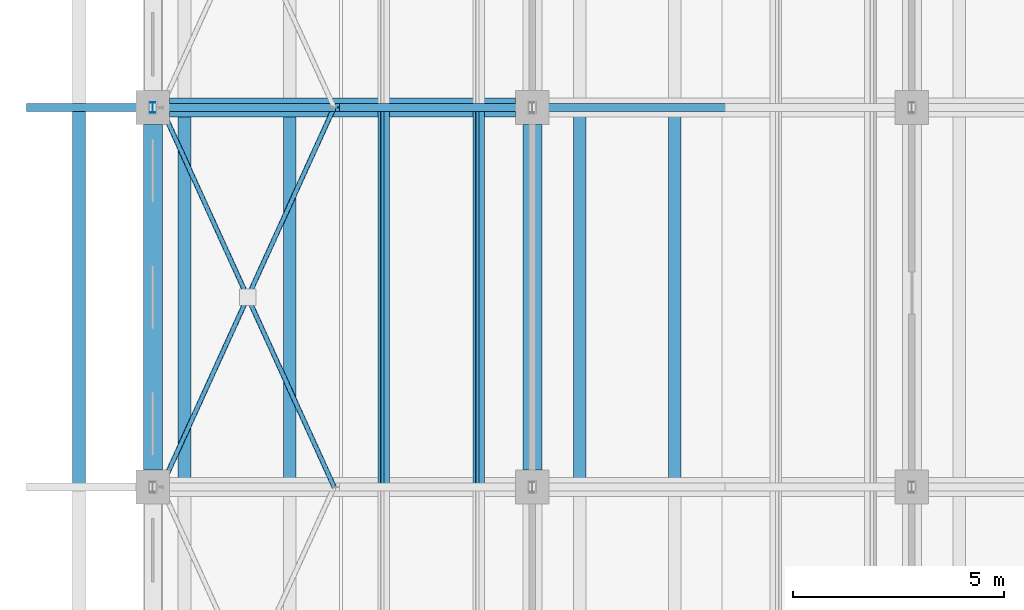
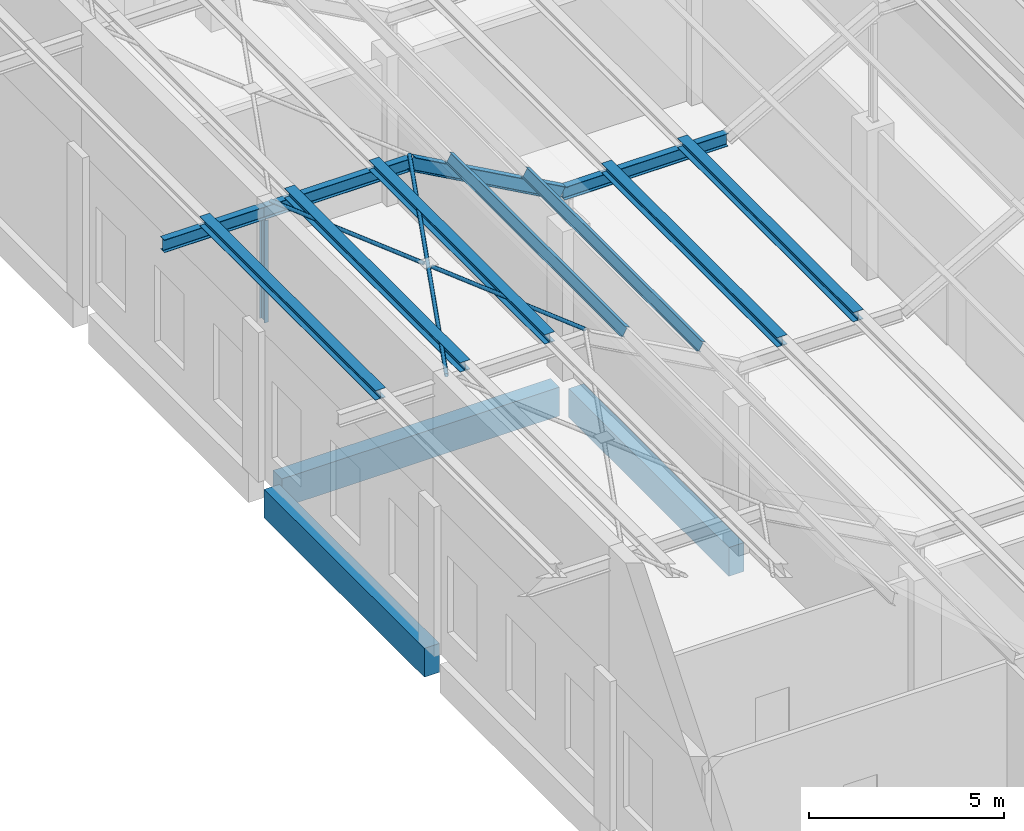
# One storey, part 32 of 437: 15 members, 3 beams.
"""IFC4 building model written with IfcOpenShell, lengths in metres."""

from ifc_helpers import new_model, si_unit, direction, frame, origin, origin_2d, place, context, subcontext, project, spatial, rectangle, hollow_circle, i_section, extrude, material, material_profile, profile_set, type_object, element, save


model = new_model("IFC4")

# Units and contexts
model_context = context("Model", 3, precision=1e-05, world=origin(), true_north=direction((0.0, 1.0)))
body_context = subcontext(model_context, "Body", "Model", "MODEL_VIEW")
ifc_project = project(units=[si_unit("LENGTHUNIT", "METRE"), si_unit("AREAUNIT", "SQUARE_METRE"), si_unit("VOLUMEUNIT", "CUBIC_METRE"), si_unit("PLANEANGLEUNIT", "RADIAN"), si_unit("MASSUNIT", "GRAM", prefix="KILO")], contexts=[model_context])

# Site, building, storey
site_placement = place(None, origin())
site = spatial("IfcSite", under=ifc_project, at=site_placement, CompositionType="ELEMENT")
building_placement = place(site_placement, origin())
building = spatial("IfcBuilding", under=site, at=building_placement, Name="Opaline Strait Convention Centre", CompositionType="ELEMENT")
storey_placement = place(building_placement, frame((0.0, 0.0, 11.5)))
storey = spatial("IfcBuildingStorey", under=building, at=storey_placement, Name="L02", CompositionType="ELEMENT", Elevation=11.5)

# Members
ifc_material_1 = material(Name="Steel Q355B", Category="steel")
ifc_material_profile_1 = material_profile(ifc_material_1, i_section(OverallWidth=0.300048828125, OverallDepth=0.300048828125, WebThickness=0.010009765625, FlangeThickness=0.014892578125, FilletRadius=0.012939453125, at=origin_2d()), Name="HW 300x300x10x15")
ifc_profile_set_1 = profile_set([ifc_material_profile_1], Name="Steel Q355B")
member_type_1 = type_object("IfcMemberType", Name="Crest purlin HW 300x300x10x15", PredefinedType="PURLIN", material=ifc_profile_set_1)
for number, where, z_axis, x_axis, name in (
    (1, (7.25, 63.0, 8.449951171875), (0.0, 1.0, 0.0), (-1.0, 0.0, 0.0), "RU1 purlin facet 1 line 1"),
    (2, (9.75, 63.0, 8.449951171875), (0.0, 1.0, 0.0), (-1.0, 0.0, 0.0), "RU1 purlin facet 1 line 2"),
    (3, (12.25, 63.0, 8.449951171875), (0.0, 1.0, 0.0), (-1.0, 0.0, 0.0), "RU1 purlin facet 1 line 3"),
    (4, (19.125, 63.0, 5.949951171875), (0.0, 1.0, 0.0), (-1.0, 0.0, 0.0), "RU1 purlin facet 3 line 1"),
    (5, (21.375, 63.0, 5.949951171875), (0.0, 1.0, 0.0), (-1.0, 0.0, 0.0), "RU1 purlin facet 3 line 2"),
):
    element("IfcMember", number, at=place(storey_placement, frame(where, z_axis=z_axis, x_axis=x_axis)), inside=storey, type_object=member_type_1, Name=name, PredefinedType="PURLIN", context=body_context, shape_type="SweptSolid", body=[
        extrude(i_section(OverallWidth=0.300048828125, OverallDepth=0.300048828125, WebThickness=0.010009765625, FlangeThickness=0.014892578125, FilletRadius=0.012939453125, at=origin_2d()), origin(), (0.0, 0.0, 1.0), 9.0),
    ])

# Beams
ifc_material_2 = material(Name="Concrete C35", Category="concrete")
ifc_material_profile_2 = material_profile(ifc_material_2, rectangle(XDim=0.449951171875, YDim=0.89990234375, at=origin_2d()), Name="RC 450x900")
ifc_profile_set_2 = profile_set([ifc_material_profile_2], Name="Concrete C35")
beam_type = type_object("IfcBeamType", Name="RC beam 450x900 C35", PredefinedType="BEAM", material=ifc_profile_set_2)
for number, where, z_axis, x_axis, name in (
    (6, (9.39990234375, 72.0, -0.72998046875), (1.0, 0.0, 0.0), (0.0, 1.0, 0.0), "XB1 L02 9/72-18/72"),
    (7, (9.0, 63.39990234375, -0.72998046875), (0.0, 1.0, 0.0), (-1.0, 0.0, 0.0), "XB1 L02 9/63-9/72"),
    (8, (18.0, 63.39990234375, -0.72998046875), (0.0, 1.0, 0.0), (-1.0, 0.0, 0.0), "XB1 L02 18/63-18/72"),
):
    element("IfcBeam", number, at=place(storey_placement, frame(where, z_axis=z_axis, x_axis=x_axis)), inside=storey, type_object=beam_type, Name=name, PredefinedType="BEAM", context=body_context, shape_type="SweptSolid", body=[
        extrude(rectangle(XDim=0.449951171875, YDim=0.89990234375, at=origin_2d()), origin(), (0.0, 0.0, 1.0), 8.2001953125),
    ])

# Members
ifc_material_profile_3 = material_profile(ifc_material_1, hollow_circle(Radius=0.056884765625, WallThickness=0.006103515625, at=origin_2d()), Name="CHS 114x6")
ifc_profile_set_3 = profile_set([ifc_material_profile_3], Name="Steel Q355B")
member_type_2 = type_object("IfcMemberType", Name="Roof bracing CHS 114x6", PredefinedType="BRACE", material=ifc_profile_set_3)
member_1_placement = place(storey_placement, frame((9.199951171875, 63.0, 8.35693359375), z_axis=(0.414572789354, 0.910016154981, 0.0), x_axis=(-0.910016154981, 0.414572789354, 0.0)))
element("IfcMember", 9, at=member_1_placement, inside=storey, type_object=member_type_2, Name="RX1 roof brace bay 7 at 9", PredefinedType="BRACE", context=body_context, shape_type="SweptSolid", body=[
    extrude(hollow_circle(Radius=0.056884765625, WallThickness=0.006103515625, at=origin_2d()), origin(), (0.0, 0.0, 1.0), 9.889892578125),
])
for number, where, z_axis, x_axis, name in (
    (10, (13.300048828125, 63.0, 8.35693359375), (-0.414570207506, 0.91001733118, 0.0), (-0.91001733118, -0.414570207506, 0.0), "RX1 roof brace bay 7 at 9"),
    (11, (11.197265625, 67.61572265625, 8.35693359375), (-0.414570207506, 0.91001733118, 0.0), (-0.91001733118, -0.414570207506, 0.0), "RX1 roof brace bay 7 at 9"),
):
    element("IfcMember", number, at=place(storey_placement, frame(where, z_axis=z_axis, x_axis=x_axis)), inside=storey, type_object=member_type_2, Name=name, PredefinedType="BRACE", context=body_context, shape_type="SweptSolid", body=[
        extrude(hollow_circle(Radius=0.056884765625, WallThickness=0.006103515625, at=origin_2d()), origin(), (0.0, 0.0, 1.0), 4.81787109375),
    ])
ifc_material_profile_4 = material_profile(ifc_material_1, i_section(OverallWidth=0.125, OverallDepth=0.25, WebThickness=0.006103515625, FlangeThickness=0.009033203125, FilletRadius=0.008056640625, at=origin_2d()), Name="HN 250x125x6x9")
ifc_profile_set_4 = profile_set([ifc_material_profile_4], Name="Steel Q355B")
member_type_3 = type_object("IfcMemberType", Name="Roof post HN 250x125x6x9", PredefinedType="STRUT", material=ifc_profile_set_4)
member_2_placement = place(storey_placement, frame((9.0, 72.0, 4.68994140625), z_axis=(0.0, 0.0, 1.0), x_axis=(1.0, 0.0, 0.0)))
element("IfcMember", 12, at=member_2_placement, inside=storey, type_object=member_type_3, Name="RP1 roof post at 9/72", PredefinedType="STRUT", context=body_context, shape_type="SweptSolid", body=[
    extrude(i_section(OverallWidth=0.125, OverallDepth=0.25, WebThickness=0.006103515625, FlangeThickness=0.009033203125, FilletRadius=0.008056640625, at=origin_2d()), origin(), (0.0, 0.0, 1.0), 3.195068359375),
])
ifc_material_profile_5 = material_profile(ifc_material_1, i_section(OverallWidth=0.14990234375, OverallDepth=0.300048828125, WebThickness=0.006591796875, FlangeThickness=0.009033203125, FilletRadius=0.012939453125, at=origin_2d()), Name="HN 300x150x6.5x9")
ifc_profile_set_5 = profile_set([ifc_material_profile_5], Name="Steel Q355B")
member_type_4 = type_object("IfcMemberType", Name="Roof purlin HN 300x150x6.5x9", PredefinedType="PURLIN", material=ifc_profile_set_5)
for number, where, z_axis, x_axis, name in (
    (13, (14.479248046875, 63.0, 7.86279296875), (0.0, 1.0, 0.0), (-0.874157310866, 0.0, 0.485642868639), "RU1 purlin facet 2 line 1"),
    (14, (16.729248046875, 63.0, 6.61279296875), (0.0, 1.0, 0.0), (-0.874157310866, 0.0, 0.485642868639), "RU1 purlin facet 2 line 2"),
):
    element("IfcMember", number, at=place(storey_placement, frame(where, z_axis=z_axis, x_axis=x_axis)), inside=storey, type_object=member_type_4, Name=name, PredefinedType="PURLIN", context=body_context, shape_type="SweptSolid", body=[
        extrude(i_section(OverallWidth=0.14990234375, OverallDepth=0.300048828125, WebThickness=0.006591796875, FlangeThickness=0.009033203125, FilletRadius=0.012939453125, at=origin_2d()), origin(), (0.0, 0.0, 1.0), 9.0),
    ])
ifc_material_profile_6 = material_profile(ifc_material_1, i_section(OverallWidth=0.199951171875, OverallDepth=0.39990234375, WebThickness=0.008056640625, FlangeThickness=0.012939453125, FilletRadius=0.012939453125, at=origin_2d()), Name="HN 400x200x8x13")
ifc_profile_set_6 = profile_set([ifc_material_profile_6], Name="Steel Q355B")
member_type_5 = type_object("IfcMemberType", Name="Roof rafter HN 400x200x8x13", PredefinedType="RAFTER", material=ifc_profile_set_6)
member_3_placement = place(storey_placement, frame((6.0, 72.0, 8.10009765625), z_axis=(1.0, 0.0, 0.0), x_axis=(0.0, 1.0, 0.0)))
element("IfcMember", 15, at=member_3_placement, inside=storey, type_object=member_type_5, Name="RR1 rafter line 8 facet 1", PredefinedType="RAFTER", context=body_context, shape_type="SweptSolid", body=[
    extrude(i_section(OverallWidth=0.199951171875, OverallDepth=0.39990234375, WebThickness=0.008056640625, FlangeThickness=0.012939453125, FilletRadius=0.012939453125, at=origin_2d()), origin(), (0.0, 0.0, 1.0), 3.0),
])
member_4_placement = place(storey_placement, frame((9.0, 72.0, 8.10009765625), z_axis=(1.0, 0.0, 0.0), x_axis=(0.0, 1.0, 0.0)))
element("IfcMember", 16, at=member_4_placement, inside=storey, type_object=member_type_5, Name="RR1 rafter line 8 facet 2", PredefinedType="RAFTER", context=body_context, shape_type="SweptSolid", body=[
    extrude(i_section(OverallWidth=0.199951171875, OverallDepth=0.39990234375, WebThickness=0.008056640625, FlangeThickness=0.012939453125, FilletRadius=0.012939453125, at=origin_2d()), origin(), (0.0, 0.0, 1.0), 4.33154296875),
])
member_5_placement = place(storey_placement, frame((13.33154296875, 72.0, 8.10009765625), z_axis=(0.874157276122, 0.0, -0.485642931179), x_axis=(0.0, 1.0, 0.0)))
element("IfcMember", 17, at=member_5_placement, inside=storey, type_object=member_type_5, Name="RR1 rafter line 8 facet 3", PredefinedType="RAFTER", context=body_context, shape_type="SweptSolid", body=[
    extrude(i_section(OverallWidth=0.199951171875, OverallDepth=0.39990234375, WebThickness=0.008056640625, FlangeThickness=0.012939453125, FilletRadius=0.012939453125, at=origin_2d()), origin(), (0.0, 0.0, 1.0), 5.147705078125),
])
member_6_placement = place(storey_placement, frame((17.83154296875, 72.0, 5.60009765625), z_axis=(1.0, 0.0, 0.0), x_axis=(0.0, 1.0, 0.0)))
element("IfcMember", 18, at=member_6_placement, inside=storey, type_object=member_type_5, Name="RR1 rafter line 8 facet 4", PredefinedType="RAFTER", context=body_context, shape_type="SweptSolid", body=[
    extrude(i_section(OverallWidth=0.199951171875, OverallDepth=0.39990234375, WebThickness=0.008056640625, FlangeThickness=0.012939453125, FilletRadius=0.012939453125, at=origin_2d()), origin(), (0.0, 0.0, 1.0), 4.8369140625),
])

save(model, "model.ifc")
